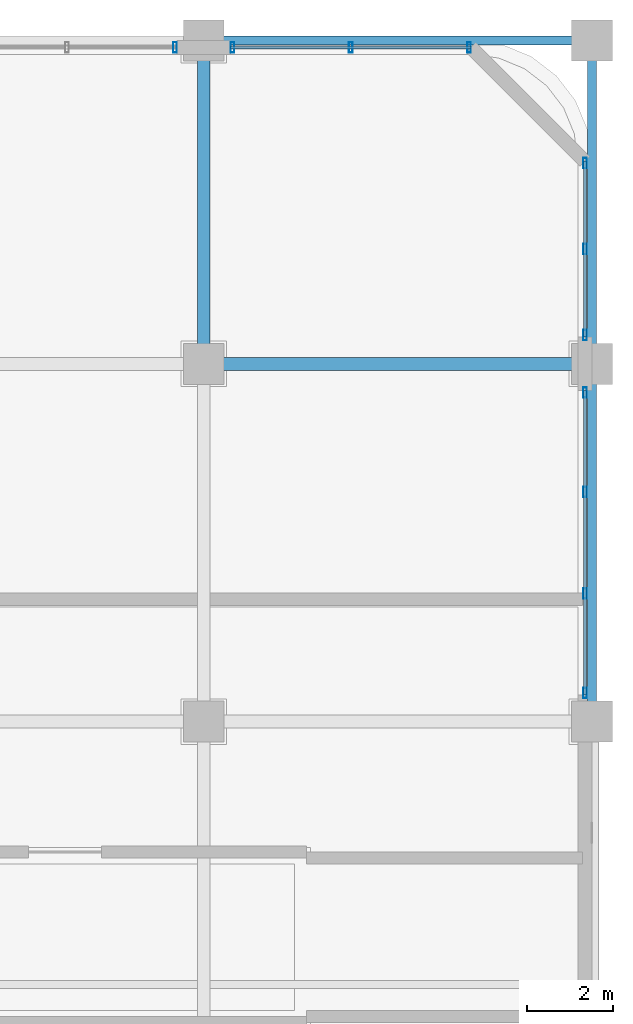
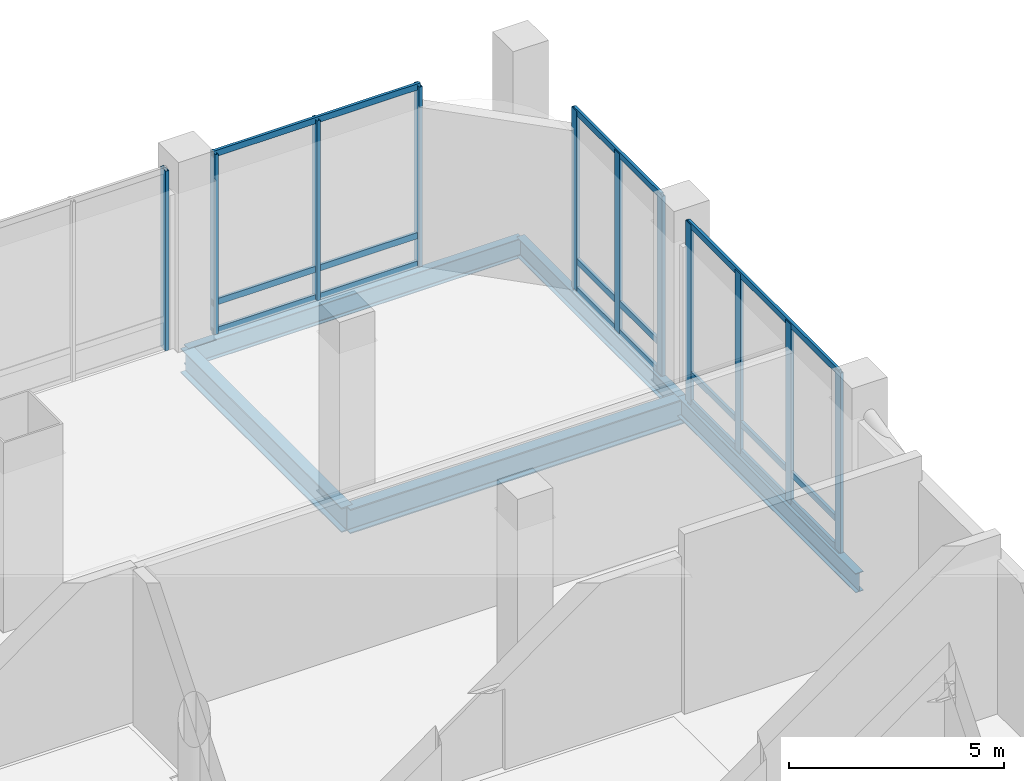
# One storey, part 21 of 39: 20 members, 5 beams, 4 elements without a shape of their own.
"""IFC4 building model written with IfcOpenShell, lengths in metres."""

from ifc_helpers import new_model, si_unit, direction, frame, origin, origin_2d, place, context, subcontext, project, spatial, hollow_rectangle, i_section, extrude, material, material_profile, profile_set, type_object, element, aggregate, save


model = new_model("IFC4")

# Units and contexts
model_context = context("Model", 3, precision=1e-05, world=origin(), true_north=direction((0.0, 1.0)))
body_context = subcontext(model_context, "Body", "Model", "MODEL_VIEW")
ifc_project = project(units=[si_unit("LENGTHUNIT", "METRE"), si_unit("AREAUNIT", "SQUARE_METRE"), si_unit("VOLUMEUNIT", "CUBIC_METRE"), si_unit("PLANEANGLEUNIT", "RADIAN"), si_unit("MASSUNIT", "GRAM", prefix="KILO")], contexts=[model_context])

# Site, building, storey
site_placement = place(None, origin())
site = spatial("IfcSite", under=ifc_project, at=site_placement, CompositionType="ELEMENT")
building_placement = place(site_placement, origin())
building = spatial("IfcBuilding", under=site, at=building_placement, Name="Punatoya Terracotta Tower", CompositionType="ELEMENT")
storey_placement = place(building_placement, frame((0.0, 0.0, 11.39990234375)))
storey = spatial("IfcBuildingStorey", under=building, at=storey_placement, Name="L02", CompositionType="ELEMENT", Elevation=11.39990234375)

# Beams
ifc_material_1 = material(Name="Steel S355", Category="steel")
ifc_material_profile_1 = material_profile(ifc_material_1, i_section(OverallWidth=0.300048828125, OverallDepth=0.699951171875, WebThickness=0.01708984375, FlangeThickness=0.031982421875, FilletRadius=0.01806640625, at=origin_2d()))
ifc_profile_set_1 = profile_set([ifc_material_profile_1], Name="Steel S355")
beam_type_1 = type_object("IfcBeamType", Name="BM-PRI-700", PredefinedType="BEAM", material=ifc_profile_set_1)
beam_1_placement = place(storey_placement, frame((28.0, 17.5, -0.6298828125), z_axis=(1.0, 0.0, 0.0), x_axis=(0.0, 1.0, 0.0)))
element("IfcBeam", 1, at=beam_1_placement, inside=storey, type_object=beam_type_1, Name="BM-L02-GE2", PredefinedType="BEAM", context=body_context, shape_type="SweptSolid", body=[
    extrude(i_section(OverallWidth=0.300048828125, OverallDepth=0.699951171875, WebThickness=0.01708984375, FlangeThickness=0.031982421875, FilletRadius=0.01806640625, at=origin_2d()), origin(), (0.0, 0.0, 1.0), 9.0),
])
beam_2_placement = place(storey_placement, frame((28.0, 17.5, -0.6298828125), z_axis=(0.0, 1.0, 0.0), x_axis=(-1.0, 0.0, 0.0)))
element("IfcBeam", 2, at=beam_2_placement, inside=storey, type_object=beam_type_1, Name="BM-L02-X28E-17", PredefinedType="BEAM", context=body_context, shape_type="SweptSolid", body=[
    extrude(i_section(OverallWidth=0.300048828125, OverallDepth=0.699951171875, WebThickness=0.01708984375, FlangeThickness=0.031982421875, FilletRadius=0.01806640625, at=origin_2d()), origin(), (0.0, 0.0, 1.0), 7.5),
])
ifc_material_profile_2 = material_profile(ifc_material_1, i_section(OverallWidth=0.2099609375, OverallDepth=0.550048828125, WebThickness=0.010986328125, FlangeThickness=0.01708984375, FilletRadius=0.01806640625, at=origin_2d()))
ifc_profile_set_2 = profile_set([ifc_material_profile_2], Name="Steel S355")
beam_type_2 = type_object("IfcBeamType", Name="BM-SPN-550", PredefinedType="SPANDREL", material=ifc_profile_set_2)
beam_3_placement = place(storey_placement, frame((28.0, 25.0, -0.554931640625), z_axis=(1.0, 0.0, 0.0), x_axis=(0.0, 1.0, 0.0)))
element("IfcBeam", 3, at=beam_3_placement, inside=storey, type_object=beam_type_2, Name="BM-L02-HE2", PredefinedType="SPANDREL", context=body_context, shape_type="SweptSolid", body=[
    extrude(i_section(OverallWidth=0.2099609375, OverallDepth=0.550048828125, WebThickness=0.010986328125, FlangeThickness=0.01708984375, FilletRadius=0.01806640625, at=origin_2d()), origin(), (0.0, 0.0, 1.0), 9.0),
])
beam_4_placement = place(storey_placement, frame((37.0, 9.199951171875, -0.554931640625), z_axis=(0.0, 1.0, 0.0), x_axis=(-1.0, 0.0, 0.0)))
element("IfcBeam", 4, at=beam_4_placement, inside=storey, type_object=beam_type_2, Name="BM-L02-X37E-9", PredefinedType="SPANDREL", context=body_context, shape_type="SweptSolid", body=[
    extrude(i_section(OverallWidth=0.2099609375, OverallDepth=0.550048828125, WebThickness=0.010986328125, FlangeThickness=0.01708984375, FilletRadius=0.01806640625, at=origin_2d()), origin(), (0.0, 0.0, 1.0), 8.300048828125),
])
beam_5_placement = place(storey_placement, frame((37.0, 17.5, -0.554931640625), z_axis=(0.0, 1.0, 0.0), x_axis=(-1.0, 0.0, 0.0)))
element("IfcBeam", 5, at=beam_5_placement, inside=storey, type_object=beam_type_2, Name="BM-L02-X37E-17", PredefinedType="SPANDREL", context=body_context, shape_type="SweptSolid", body=[
    extrude(i_section(OverallWidth=0.2099609375, OverallDepth=0.550048828125, WebThickness=0.010986328125, FlangeThickness=0.01708984375, FilletRadius=0.01806640625, at=origin_2d()), origin(), (0.0, 0.0, 1.0), 7.5),
])

# Curtain wall, member
ifc_material_2 = material(Name="Aluminium 6063-T6 + Double Low-E Glass", Category="aluminium")
curtain_wall_type = type_object("IfcCurtainWallType", Name="CW-POD", PredefinedType="NOTDEFINED", material=ifc_material_2)
curtain_wall_1_placement = place(storey_placement, origin())
curtain_wall_1 = element("IfcCurtainWall", 6, at=curtain_wall_1_placement, inside=storey, type_object=curtain_wall_type, Name="L02 Curtain Wall CWP-L02-N6", PredefinedType="NOTDEFINED")
ifc_material_3 = material(Name="Aluminium 6063-T6", Category="aluminium")
ifc_material_profile_3 = material_profile(ifc_material_3, hollow_rectangle(XDim=0.0849609375, YDim=0.239990234375, WallThickness=0.0048828125, at=origin_2d()))
ifc_profile_set_3 = profile_set([ifc_material_profile_3], Name="Aluminium 6063-T6")
member_type_1 = type_object("IfcMemberType", Name="CW-MUL-POD", PredefinedType="MULLION", material=ifc_profile_set_3)
member_1_placement = place(storey_placement, frame((27.3349609375, 24.840087890625, 0.0), z_axis=(0.0, 0.0, 1.0), x_axis=(1.0, 0.0, 0.0)))
member_1 = element("IfcMember", 7, at=member_1_placement, type_object=member_type_1, Name="CWP-L02-N6 Mullion 00", PredefinedType="MULLION", context=body_context, shape_type="SweptSolid", body=[
    extrude(hollow_rectangle(XDim=0.0849609375, YDim=0.239990234375, WallThickness=0.0048828125, at=origin_2d()), origin(), (0.0, 0.0, 1.0), 5.1201171875),
])
aggregate(curtain_wall_1, [member_1])

# Curtain wall, members
curtain_wall_2_placement = place(storey_placement, origin())
curtain_wall_2 = element("IfcCurtainWall", 8, at=curtain_wall_2_placement, inside=storey, type_object=curtain_wall_type, Name="L02 Curtain Wall CWP-L02-N7", PredefinedType="NOTDEFINED")
member_2_placement = place(storey_placement, frame((34.155029296875, 24.840087890625, 0.0), z_axis=(0.0, 0.0, 1.0), x_axis=(1.0, 0.0, 0.0)))
member_2 = element("IfcMember", 9, at=member_2_placement, type_object=member_type_1, Name="CWP-L02-N7 Mullion 00", PredefinedType="MULLION", context=body_context, shape_type="SweptSolid", body=[
    extrude(hollow_rectangle(XDim=0.0849609375, YDim=0.239990234375, WallThickness=0.0048828125, at=origin_2d()), origin(), (0.0, 0.0, 1.0), 5.1201171875),
])
member_3_placement = place(storey_placement, frame((31.409912109375, 24.840087890625, 0.0), z_axis=(0.0, 0.0, 1.0), x_axis=(1.0, 0.0, 0.0)))
member_3 = element("IfcMember", 10, at=member_3_placement, type_object=member_type_1, Name="CWP-L02-N7 Mullion 01", PredefinedType="MULLION", context=body_context, shape_type="SweptSolid", body=[
    extrude(hollow_rectangle(XDim=0.0849609375, YDim=0.239990234375, WallThickness=0.0048828125, at=origin_2d()), origin(), (0.0, 0.0, 1.0), 5.1201171875),
])
member_4_placement = place(storey_placement, frame((28.6650390625, 24.840087890625, 0.0), z_axis=(0.0, 0.0, 1.0), x_axis=(1.0, 0.0, 0.0)))
member_4 = element("IfcMember", 11, at=member_4_placement, type_object=member_type_1, Name="CWP-L02-N7 Mullion 02", PredefinedType="MULLION", context=body_context, shape_type="SweptSolid", body=[
    extrude(hollow_rectangle(XDim=0.0849609375, YDim=0.239990234375, WallThickness=0.0048828125, at=origin_2d()), origin(), (0.0, 0.0, 1.0), 5.1201171875),
])

curtain_wall_3_placement = place(storey_placement, origin())
curtain_wall_3 = element("IfcCurtainWall", 12, at=curtain_wall_3_placement, inside=storey, type_object=curtain_wall_type, Name="L02 Curtain Wall CWP-L02-E3", PredefinedType="NOTDEFINED")
member_5_placement = place(storey_placement, frame((36.840087890625, 16.8349609375, 0.0), z_axis=(0.0, 0.0, 1.0), x_axis=(1.0, 0.0, 0.0)))
member_5 = element("IfcMember", 13, at=member_5_placement, type_object=member_type_1, Name="CWP-L02-E3 Mullion 00", PredefinedType="MULLION", context=body_context, shape_type="SweptSolid", body=[
    extrude(hollow_rectangle(XDim=0.0849609375, YDim=0.239990234375, WallThickness=0.0048828125, at=origin_2d()), origin(), (0.0, 0.0, 1.0), 5.1201171875),
])
member_6_placement = place(storey_placement, frame((36.840087890625, 14.526611328125, 0.0), z_axis=(0.0, 0.0, 1.0), x_axis=(1.0, 0.0, 0.0)))
member_6 = element("IfcMember", 14, at=member_6_placement, type_object=member_type_1, Name="CWP-L02-E3 Mullion 01", PredefinedType="MULLION", context=body_context, shape_type="SweptSolid", body=[
    extrude(hollow_rectangle(XDim=0.0849609375, YDim=0.239990234375, WallThickness=0.0048828125, at=origin_2d()), origin(), (0.0, 0.0, 1.0), 5.1201171875),
])
member_7_placement = place(storey_placement, frame((36.840087890625, 12.17333984375, 0.0), z_axis=(0.0, 0.0, 1.0), x_axis=(1.0, 0.0, 0.0)))
member_7 = element("IfcMember", 15, at=member_7_placement, type_object=member_type_1, Name="CWP-L02-E3 Mullion 02", PredefinedType="MULLION", context=body_context, shape_type="SweptSolid", body=[
    extrude(hollow_rectangle(XDim=0.0849609375, YDim=0.239990234375, WallThickness=0.0048828125, at=origin_2d()), origin(), (0.0, 0.0, 1.0), 5.1201171875),
])
member_8_placement = place(storey_placement, frame((36.840087890625, 9.864990234375, 0.0), z_axis=(0.0, 0.0, 1.0), x_axis=(1.0, 0.0, 0.0)))
member_8 = element("IfcMember", 16, at=member_8_placement, type_object=member_type_1, Name="CWP-L02-E3 Mullion 03", PredefinedType="MULLION", context=body_context, shape_type="SweptSolid", body=[
    extrude(hollow_rectangle(XDim=0.0849609375, YDim=0.239990234375, WallThickness=0.0048828125, at=origin_2d()), origin(), (0.0, 0.0, 1.0), 5.1201171875),
])

curtain_wall_4_placement = place(storey_placement, origin())
curtain_wall_4 = element("IfcCurtainWall", 17, at=curtain_wall_4_placement, inside=storey, type_object=curtain_wall_type, Name="L02 Curtain Wall CWP-L02-E4", PredefinedType="NOTDEFINED")
member_9_placement = place(storey_placement, frame((36.840087890625, 22.155029296875, 0.0), z_axis=(0.0, 0.0, 1.0), x_axis=(1.0, 0.0, 0.0)))
member_9 = element("IfcMember", 18, at=member_9_placement, type_object=member_type_1, Name="CWP-L02-E4 Mullion 00", PredefinedType="MULLION", context=body_context, shape_type="SweptSolid", body=[
    extrude(hollow_rectangle(XDim=0.0849609375, YDim=0.239990234375, WallThickness=0.0048828125, at=origin_2d()), origin(), (0.0, 0.0, 1.0), 5.1201171875),
])
member_10_placement = place(storey_placement, frame((36.840087890625, 20.159912109375, 0.0), z_axis=(0.0, 0.0, 1.0), x_axis=(1.0, 0.0, 0.0)))
member_10 = element("IfcMember", 19, at=member_10_placement, type_object=member_type_1, Name="CWP-L02-E4 Mullion 01", PredefinedType="MULLION", context=body_context, shape_type="SweptSolid", body=[
    extrude(hollow_rectangle(XDim=0.0849609375, YDim=0.239990234375, WallThickness=0.0048828125, at=origin_2d()), origin(), (0.0, 0.0, 1.0), 5.1201171875),
])
member_11_placement = place(storey_placement, frame((36.840087890625, 18.1650390625, 0.0), z_axis=(0.0, 0.0, 1.0), x_axis=(1.0, 0.0, 0.0)))
member_11 = element("IfcMember", 20, at=member_11_placement, type_object=member_type_1, Name="CWP-L02-E4 Mullion 02", PredefinedType="MULLION", context=body_context, shape_type="SweptSolid", body=[
    extrude(hollow_rectangle(XDim=0.0849609375, YDim=0.239990234375, WallThickness=0.0048828125, at=origin_2d()), origin(), (0.0, 0.0, 1.0), 5.1201171875),
])

# Member
ifc_material_profile_4 = material_profile(ifc_material_3, hollow_rectangle(XDim=0.074951171875, YDim=0.175048828125, WallThickness=0.00439453125, at=origin_2d()))
ifc_profile_set_4 = profile_set([ifc_material_profile_4], Name="Aluminium 6063-T6")
member_type_2 = type_object("IfcMemberType", Name="CW-TRN-POD", PredefinedType="USERDEFINED", material=ifc_profile_set_4)
member_12_placement = place(storey_placement, frame((34.199951171875, 24.840087890625, 0.0400390625), z_axis=(-1.0, 0.0, 0.0), x_axis=(0.0, -1.0, 0.0)))
member_12 = element("IfcMember", 21, at=member_12_placement, type_object=member_type_2, Name="CWP-L02-N7 Transom 1", ObjectType="TRANSOM", PredefinedType="USERDEFINED", context=body_context, shape_type="SweptSolid", body=[
    extrude(hollow_rectangle(XDim=0.074951171875, YDim=0.175048828125, WallThickness=0.00439453125, at=origin_2d()), origin(), (0.0, 0.0, 1.0), 5.579833984375),
])

member_13_placement = place(storey_placement, frame((34.199951171875, 24.840087890625, 0.85009765625), z_axis=(-1.0, 0.0, 0.0), x_axis=(0.0, -1.0, 0.0)))
member_13 = element("IfcMember", 22, at=member_13_placement, type_object=member_type_2, Name="CWP-L02-N7 Transom 2", ObjectType="TRANSOM", PredefinedType="USERDEFINED", context=body_context, shape_type="SweptSolid", body=[
    extrude(hollow_rectangle(XDim=0.074951171875, YDim=0.175048828125, WallThickness=0.00439453125, at=origin_2d()), origin(), (0.0, 0.0, 1.0), 5.579833984375),
])

member_14_placement = place(storey_placement, frame((34.199951171875, 24.840087890625, 5.080078125), z_axis=(-1.0, 0.0, 0.0), x_axis=(0.0, -1.0, 0.0)))
member_14 = element("IfcMember", 23, at=member_14_placement, type_object=member_type_2, Name="CWP-L02-N7 Transom 3", ObjectType="TRANSOM", PredefinedType="USERDEFINED", context=body_context, shape_type="SweptSolid", body=[
    extrude(hollow_rectangle(XDim=0.074951171875, YDim=0.175048828125, WallThickness=0.00439453125, at=origin_2d()), origin(), (0.0, 0.0, 1.0), 5.579833984375),
])

aggregate(curtain_wall_2, [member_2, member_3, member_4, member_12, member_13, member_14])

member_15_placement = place(storey_placement, frame((36.840087890625, 16.8798828125, 0.0400390625), z_axis=(0.0, -1.0, 0.0), x_axis=(1.0, 0.0, 0.0)))
member_15 = element("IfcMember", 24, at=member_15_placement, type_object=member_type_2, Name="CWP-L02-E3 Transom 1", ObjectType="TRANSOM", PredefinedType="USERDEFINED", context=body_context, shape_type="SweptSolid", body=[
    extrude(hollow_rectangle(XDim=0.074951171875, YDim=0.175048828125, WallThickness=0.00439453125, at=origin_2d()), origin(), (0.0, 0.0, 1.0), 7.059814453125),
])

member_16_placement = place(storey_placement, frame((36.840087890625, 16.8798828125, 0.85009765625), z_axis=(0.0, -1.0, 0.0), x_axis=(1.0, 0.0, 0.0)))
member_16 = element("IfcMember", 25, at=member_16_placement, type_object=member_type_2, Name="CWP-L02-E3 Transom 2", ObjectType="TRANSOM", PredefinedType="USERDEFINED", context=body_context, shape_type="SweptSolid", body=[
    extrude(hollow_rectangle(XDim=0.074951171875, YDim=0.175048828125, WallThickness=0.00439453125, at=origin_2d()), origin(), (0.0, 0.0, 1.0), 7.059814453125),
])

member_17_placement = place(storey_placement, frame((36.840087890625, 16.8798828125, 5.080078125), z_axis=(0.0, -1.0, 0.0), x_axis=(1.0, 0.0, 0.0)))
member_17 = element("IfcMember", 26, at=member_17_placement, type_object=member_type_2, Name="CWP-L02-E3 Transom 3", ObjectType="TRANSOM", PredefinedType="USERDEFINED", context=body_context, shape_type="SweptSolid", body=[
    extrude(hollow_rectangle(XDim=0.074951171875, YDim=0.175048828125, WallThickness=0.00439453125, at=origin_2d()), origin(), (0.0, 0.0, 1.0), 7.059814453125),
])

aggregate(curtain_wall_3, [member_5, member_6, member_7, member_8, member_15, member_16, member_17])

member_18_placement = place(storey_placement, frame((36.840087890625, 22.199951171875, 0.0400390625), z_axis=(0.0, -1.0, 0.0), x_axis=(1.0, 0.0, 0.0)))
member_18 = element("IfcMember", 27, at=member_18_placement, type_object=member_type_2, Name="CWP-L02-E4 Transom 1", ObjectType="TRANSOM", PredefinedType="USERDEFINED", context=body_context, shape_type="SweptSolid", body=[
    extrude(hollow_rectangle(XDim=0.074951171875, YDim=0.175048828125, WallThickness=0.00439453125, at=origin_2d()), origin(), (0.0, 0.0, 1.0), 4.079833984375),
])

member_19_placement = place(storey_placement, frame((36.840087890625, 22.199951171875, 0.85009765625), z_axis=(0.0, -1.0, 0.0), x_axis=(1.0, 0.0, 0.0)))
member_19 = element("IfcMember", 28, at=member_19_placement, type_object=member_type_2, Name="CWP-L02-E4 Transom 2", ObjectType="TRANSOM", PredefinedType="USERDEFINED", context=body_context, shape_type="SweptSolid", body=[
    extrude(hollow_rectangle(XDim=0.074951171875, YDim=0.175048828125, WallThickness=0.00439453125, at=origin_2d()), origin(), (0.0, 0.0, 1.0), 4.079833984375),
])

member_20_placement = place(storey_placement, frame((36.840087890625, 22.199951171875, 5.080078125), z_axis=(0.0, -1.0, 0.0), x_axis=(1.0, 0.0, 0.0)))
member_20 = element("IfcMember", 29, at=member_20_placement, type_object=member_type_2, Name="CWP-L02-E4 Transom 3", ObjectType="TRANSOM", PredefinedType="USERDEFINED", context=body_context, shape_type="SweptSolid", body=[
    extrude(hollow_rectangle(XDim=0.074951171875, YDim=0.175048828125, WallThickness=0.00439453125, at=origin_2d()), origin(), (0.0, 0.0, 1.0), 4.079833984375),
])

aggregate(curtain_wall_4, [member_9, member_10, member_11, member_18, member_19, member_20])

save(model, "model.ifc")
